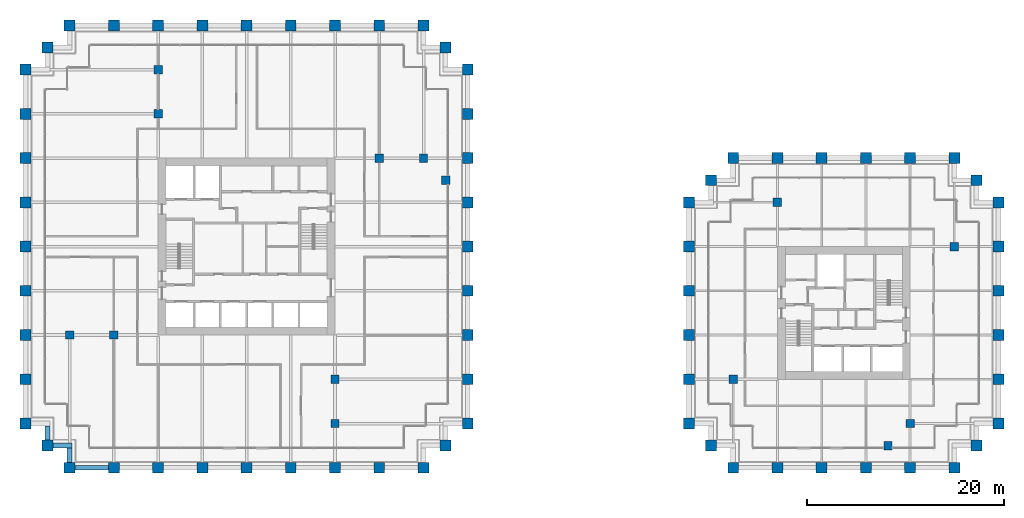
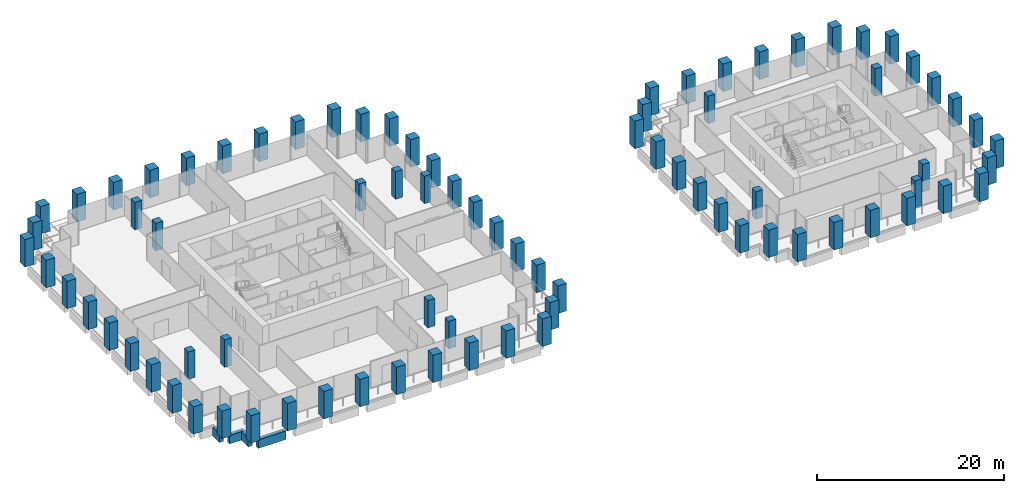
# One storey, part 1 of 54: 82 columns, 4 beams.
"""IFC4 building model written with IfcOpenShell, lengths in metres."""

from ifc_helpers import new_model, si_unit, direction, frame, origin, origin_2d, place, context, subcontext, project, spatial, rectangle, extrude, material, material_profile, profile_set, type_object, element, save


model = new_model("IFC4")

# Units and contexts
model_context = context("Model", 3, precision=1e-05, world=origin(), true_north=direction((0.0, 1.0)))
body_context = subcontext(model_context, "Body", "Model", "MODEL_VIEW")
ifc_project = project(units=[si_unit("LENGTHUNIT", "METRE"), si_unit("AREAUNIT", "SQUARE_METRE"), si_unit("VOLUMEUNIT", "CUBIC_METRE"), si_unit("PLANEANGLEUNIT", "RADIAN"), si_unit("MASSUNIT", "GRAM", prefix="KILO")], contexts=[model_context])

# Site, building, storey
site_placement = place(None, origin())
site = spatial("IfcSite", under=ifc_project, at=site_placement, CompositionType="ELEMENT")
building_placement = place(site_placement, origin())
building = spatial("IfcBuilding", under=site, at=building_placement, Name="Altepetl Exchange Towers", CompositionType="ELEMENT")
storey_placement = place(building_placement, frame((0.0, 0.0, 58.199951171875)))
storey = spatial("IfcBuildingStorey", under=building, at=storey_placement, Name="L13", CompositionType="ELEMENT", Elevation=58.199951171875)

# Columns
ifc_material_1 = material(Name="Concrete C70/85", Category="concrete")
ifc_material_profile_1 = material_profile(ifc_material_1, rectangle(XDim=0.85009765625, YDim=0.85009765625, at=origin_2d()), Name="850 x 850")
ifc_profile_set_1 = profile_set([ifc_material_profile_1], Name="Concrete C70/85")
column_type_1 = type_object("IfcColumnType", Name="Interior column 850", PredefinedType="COLUMN", material=ifc_profile_set_1)
for number, where, name in (
    (1, (31.5, 40.5, 0.0), "col:A:L13:040"),
    (2, (36.0, 40.5, 0.0), "col:A:L13:041"),
    (3, (40.5, 63.0, 0.0), "col:A:L13:042"),
    (4, (40.5, 67.5, 0.0), "col:A:L13:043"),
    (5, (58.5, 31.5, 0.0), "col:A:L13:044"),
    (6, (58.5, 36.0, 0.0), "col:A:L13:045"),
    (7, (63.0, 58.5, 0.0), "col:A:L13:046"),
    (8, (67.5, 58.5, 0.0), "col:A:L13:047"),
    (9, (69.75, 56.25, 0.0), "col:A:L13:048"),
    (10, (99.0, 36.0, 0.0), "col:B:L13:028"),
    (11, (103.5, 54.0, 0.0), "col:B:L13:029"),
    (12, (114.75, 29.25, 0.0), "col:B:L13:030"),
    (13, (117.0, 31.5, 0.0), "col:B:L13:031"),
    (14, (121.5, 49.5, 0.0), "col:B:L13:032"),
):
    element("IfcColumn", number, at=place(storey_placement, frame(where)), inside=storey, type_object=column_type_1, Name=name, PredefinedType="COLUMN", context=body_context, shape_type="SweptSolid", body=[
        extrude(rectangle(XDim=0.85009765625, YDim=0.85009765625, at=origin_2d()), origin(), (0.0, 0.0, 1.0), 3.60009765625),
    ])
ifc_material_2 = material(Name="Concrete C70/85 precast with cantera amarilla facing", Category="concrete")
ifc_material_profile_2 = material_profile(ifc_material_2, rectangle(XDim=1.10009765625, YDim=1.10009765625, at=origin_2d()), Name="1100 x 1100")
ifc_profile_set_2 = profile_set([ifc_material_profile_2], Name="Concrete C70/85 precast with cantera amarilla facing")
column_type_2 = type_object("IfcColumnType", Name="Perimeter column 1100 cantera amarilla", PredefinedType="COLUMN", material=ifc_profile_set_2)
for number, where, name in (
    (15, (58.5, 27.0, 0.0), "col:A:L13:006"),
    (16, (63.0, 27.0, 0.0), "col:A:L13:007"),
    (17, (67.5, 27.0, 0.0), "col:A:L13:008"),
    (18, (69.75, 29.25, 0.0), "col:A:L13:009"),
    (19, (72.0, 31.5, 0.0), "col:A:L13:010"),
    (20, (72.0, 36.0, 0.0), "col:A:L13:011"),
    (21, (72.0, 40.5, 0.0), "col:A:L13:012"),
    (22, (72.0, 45.0, 0.0), "col:A:L13:013"),
    (23, (72.0, 49.5, 0.0), "col:A:L13:014"),
    (24, (72.0, 54.0, 0.0), "col:A:L13:015"),
    (25, (126.0, 49.5, 0.0), "col:B:L13:011"),
    (26, (126.0, 54.0, 0.0), "col:B:L13:012"),
    (27, (123.75, 56.25, 0.0), "col:B:L13:013"),
    (28, (121.5, 58.5, 0.0), "col:B:L13:014"),
    (29, (117.0, 58.5, 0.0), "col:B:L13:015"),
    (30, (112.5, 58.5, 0.0), "col:B:L13:016"),
    (31, (108.0, 58.5, 0.0), "col:B:L13:017"),
):
    element("IfcColumn", number, at=place(storey_placement, frame(where)), inside=storey, type_object=column_type_2, Name=name, PredefinedType="COLUMN", context=body_context, shape_type="SweptSolid", body=[
        extrude(rectangle(XDim=1.10009765625, YDim=1.10009765625, at=origin_2d()), origin(), (0.0, 0.0, 1.0), 3.60009765625),
    ])
ifc_material_3 = material(Name="Concrete C70/85 precast with cantera blanca facing", Category="concrete")
ifc_material_profile_3 = material_profile(ifc_material_3, rectangle(XDim=1.10009765625, YDim=1.10009765625, at=origin_2d()), Name="1100 x 1100")
ifc_profile_set_3 = profile_set([ifc_material_profile_3], Name="Concrete C70/85 precast with cantera blanca facing")
column_type_3 = type_object("IfcColumnType", Name="Perimeter column 1100 cantera blanca", PredefinedType="COLUMN", material=ifc_profile_set_3)
for number, where, name in (
    (32, (31.5, 27.0, 0.0), "col:A:L13:000"),
    (33, (36.0, 27.0, 0.0), "col:A:L13:001"),
    (34, (40.5, 27.0, 0.0), "col:A:L13:002"),
    (35, (45.0, 27.0, 0.0), "col:A:L13:003"),
    (36, (49.5, 27.0, 0.0), "col:A:L13:004"),
    (37, (54.0, 27.0, 0.0), "col:A:L13:005"),
    (38, (27.0, 36.0, 0.0), "col:A:L13:037"),
    (39, (27.0, 31.5, 0.0), "col:A:L13:038"),
    (40, (29.25, 29.25, 0.0), "col:A:L13:039"),
    (41, (117.0, 27.0, 0.0), "col:B:L13:004"),
    (42, (121.5, 27.0, 0.0), "col:B:L13:005"),
    (43, (123.75, 29.25, 0.0), "col:B:L13:006"),
    (44, (126.0, 31.5, 0.0), "col:B:L13:007"),
    (45, (126.0, 36.0, 0.0), "col:B:L13:008"),
    (46, (126.0, 40.5, 0.0), "col:B:L13:009"),
    (47, (126.0, 45.0, 0.0), "col:B:L13:010"),
):
    element("IfcColumn", number, at=place(storey_placement, frame(where)), inside=storey, type_object=column_type_3, Name=name, PredefinedType="COLUMN", context=body_context, shape_type="SweptSolid", body=[
        extrude(rectangle(XDim=1.10009765625, YDim=1.10009765625, at=origin_2d()), origin(), (0.0, 0.0, 1.0), 3.60009765625),
    ])
ifc_material_4 = material(Name="Concrete C70/85 precast with cantera rosa facing", Category="concrete")
ifc_material_profile_4 = material_profile(ifc_material_4, rectangle(XDim=1.10009765625, YDim=1.10009765625, at=origin_2d()), Name="1100 x 1100")
ifc_profile_set_4 = profile_set([ifc_material_profile_4], Name="Concrete C70/85 precast with cantera rosa facing")
column_type_4 = type_object("IfcColumnType", Name="Perimeter column 1100 cantera rosa", PredefinedType="COLUMN", material=ifc_profile_set_4)
for number, where, name in (
    (48, (72.0, 58.5, 0.0), "col:A:L13:016"),
    (49, (72.0, 63.0, 0.0), "col:A:L13:017"),
    (50, (72.0, 67.5, 0.0), "col:A:L13:018"),
    (51, (69.75, 69.75, 0.0), "col:A:L13:019"),
    (52, (67.5, 72.0, 0.0), "col:A:L13:020"),
    (53, (63.0, 72.0, 0.0), "col:A:L13:021"),
    (54, (58.5, 72.0, 0.0), "col:A:L13:022"),
    (55, (54.0, 72.0, 0.0), "col:A:L13:023"),
    (56, (49.5, 72.0, 0.0), "col:A:L13:024"),
    (57, (45.0, 72.0, 0.0), "col:A:L13:025"),
    (58, (103.5, 58.5, 0.0), "col:B:L13:018"),
    (59, (99.0, 58.5, 0.0), "col:B:L13:019"),
    (60, (96.75, 56.25, 0.0), "col:B:L13:020"),
    (61, (94.5, 54.0, 0.0), "col:B:L13:021"),
    (62, (94.5, 49.5, 0.0), "col:B:L13:022"),
    (63, (94.5, 45.0, 0.0), "col:B:L13:023"),
    (64, (94.5, 40.5, 0.0), "col:B:L13:024"),
    (65, (94.5, 36.0, 0.0), "col:B:L13:025"),
):
    element("IfcColumn", number, at=place(storey_placement, frame(where)), inside=storey, type_object=column_type_4, Name=name, PredefinedType="COLUMN", context=body_context, shape_type="SweptSolid", body=[
        extrude(rectangle(XDim=1.10009765625, YDim=1.10009765625, at=origin_2d()), origin(), (0.0, 0.0, 1.0), 3.60009765625),
    ])
ifc_material_5 = material(Name="Concrete C70/85 precast with tezontle facing", Category="concrete")
ifc_material_profile_5 = material_profile(ifc_material_5, rectangle(XDim=1.10009765625, YDim=1.10009765625, at=origin_2d()), Name="1100 x 1100")
ifc_profile_set_5 = profile_set([ifc_material_profile_5], Name="Concrete C70/85 precast with tezontle facing")
column_type_5 = type_object("IfcColumnType", Name="Perimeter column 1100 tezontle", PredefinedType="COLUMN", material=ifc_profile_set_5)
for number, where, name in (
    (66, (40.5, 72.0, 0.0), "col:A:L13:026"),
    (67, (36.0, 72.0, 0.0), "col:A:L13:027"),
    (68, (31.5, 72.0, 0.0), "col:A:L13:028"),
    (69, (29.25, 69.75, 0.0), "col:A:L13:029"),
    (70, (27.0, 67.5, 0.0), "col:A:L13:030"),
    (71, (27.0, 63.0, 0.0), "col:A:L13:031"),
    (72, (27.0, 58.5, 0.0), "col:A:L13:032"),
    (73, (27.0, 54.0, 0.0), "col:A:L13:033"),
    (74, (27.0, 49.5, 0.0), "col:A:L13:034"),
    (75, (27.0, 45.0, 0.0), "col:A:L13:035"),
    (76, (27.0, 40.5, 0.0), "col:A:L13:036"),
    (77, (99.0, 27.0, 0.0), "col:B:L13:000"),
    (78, (103.5, 27.0, 0.0), "col:B:L13:001"),
    (79, (108.0, 27.0, 0.0), "col:B:L13:002"),
    (80, (112.5, 27.0, 0.0), "col:B:L13:003"),
    (81, (94.5, 31.5, 0.0), "col:B:L13:026"),
    (82, (96.75, 29.25, 0.0), "col:B:L13:027"),
):
    element("IfcColumn", number, at=place(storey_placement, frame(where)), inside=storey, type_object=column_type_5, Name=name, PredefinedType="COLUMN", context=body_context, shape_type="SweptSolid", body=[
        extrude(rectangle(XDim=1.10009765625, YDim=1.10009765625, at=origin_2d()), origin(), (0.0, 0.0, 1.0), 3.60009765625),
    ])

# Beams
ifc_material_6 = material(Name="Concrete C50/60 precast with cantera blanca facing", Category="concrete")
ifc_material_profile_6 = material_profile(ifc_material_6, rectangle(XDim=0.5, YDim=1.10009765625, at=origin_2d()), Name="500 x 1100")
ifc_profile_set_6 = profile_set([ifc_material_profile_6], Name="Concrete C50/60 precast with cantera blanca facing")
beam_type = type_object("IfcBeamType", Name="Spandrel beam 500x1100 cantera blanca", PredefinedType="SPANDREL", material=ifc_profile_set_6)
beam_1_placement = place(storey_placement, frame((32.050048828125, 27.0, -0.699951171875), z_axis=(1.0, 0.0, 0.0), x_axis=(0.0, 1.0, 0.0)))
element("IfcBeam", 83, at=beam_1_placement, inside=storey, type_object=beam_type, Name="sp:A:L13:000", PredefinedType="SPANDREL", context=body_context, shape_type="SweptSolid", body=[
    extrude(rectangle(XDim=0.5, YDim=1.10009765625, at=origin_2d()), origin(), (0.0, 0.0, 1.0), 3.39990234375),
])
beam_2_placement = place(storey_placement, frame((29.25, 31.25, -0.699951171875), z_axis=(0.0, -1.0, 0.0), x_axis=(1.0, 0.0, 0.0)))
element("IfcBeam", 84, at=beam_2_placement, inside=storey, type_object=beam_type, Name="sp:A:L13:045", PredefinedType="SPANDREL", context=body_context, shape_type="SweptSolid", body=[
    extrude(rectangle(XDim=0.5, YDim=1.10009765625, at=origin_2d()), origin(), (0.0, 0.0, 1.0), 1.449951171875),
])
beam_3_placement = place(storey_placement, frame((29.800048828125, 29.25, -0.699951171875), z_axis=(1.0, 0.0, 0.0), x_axis=(0.0, 1.0, 0.0)))
element("IfcBeam", 85, at=beam_3_placement, inside=storey, type_object=beam_type, Name="sp:A:L13:046", PredefinedType="SPANDREL", context=body_context, shape_type="SweptSolid", body=[
    extrude(rectangle(XDim=0.5, YDim=1.10009765625, at=origin_2d()), origin(), (0.0, 0.0, 1.0), 1.949951171875),
])
beam_4_placement = place(storey_placement, frame((31.5, 29.0, -0.699951171875), z_axis=(0.0, -1.0, 0.0), x_axis=(1.0, 0.0, 0.0)))
element("IfcBeam", 86, at=beam_4_placement, inside=storey, type_object=beam_type, Name="sp:A:L13:047", PredefinedType="SPANDREL", context=body_context, shape_type="SweptSolid", body=[
    extrude(rectangle(XDim=0.5, YDim=1.10009765625, at=origin_2d()), origin(), (0.0, 0.0, 1.0), 1.449951171875),
])

save(model, "model.ifc")
